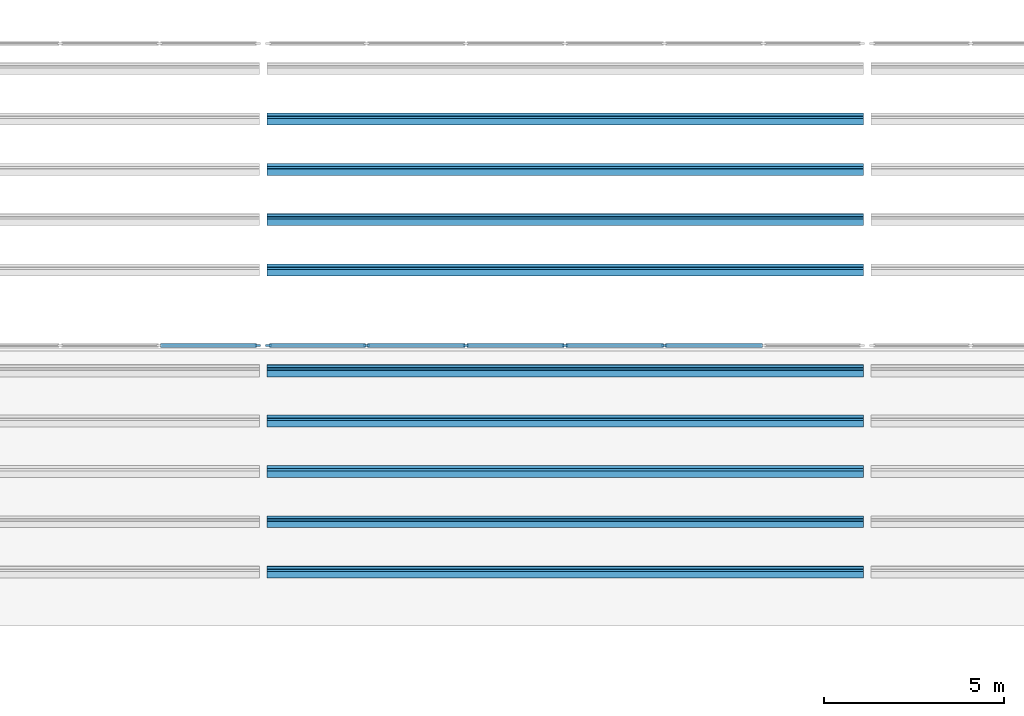
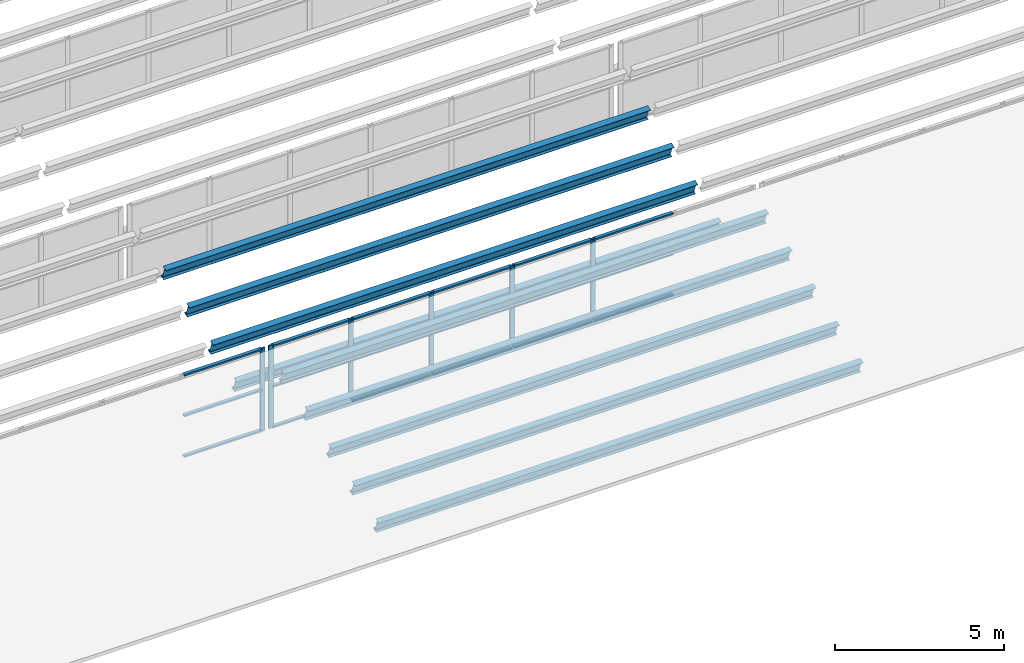
# One storey, part 9 of 116: 33 members, 2 elements without a shape of their own.
"""IFC4 building model written with IfcOpenShell, lengths in metres."""

from ifc_helpers import new_model, si_unit, direction, frame, origin, origin_2d, place, context, subcontext, project, spatial, rectangle, i_section, extrude, material, material_profile, profile_set, type_object, element, aggregate, save


model = new_model("IFC4")

# Units and contexts
model_context = context("Model", 3, precision=1e-05, world=origin(), true_north=direction((0.0, 1.0)))
body_context = subcontext(model_context, "Body", "Model", "MODEL_VIEW")
ifc_project = project(units=[si_unit("LENGTHUNIT", "METRE"), si_unit("AREAUNIT", "SQUARE_METRE"), si_unit("VOLUMEUNIT", "CUBIC_METRE"), si_unit("PLANEANGLEUNIT", "RADIAN"), si_unit("MASSUNIT", "GRAM", prefix="KILO")], contexts=[model_context])

# Site, building, storey
site_placement = place(None, origin())
site = spatial("IfcSite", under=ifc_project, at=site_placement, CompositionType="ELEMENT")
building_placement = place(site_placement, origin())
building = spatial("IfcBuilding", under=site, at=building_placement, Name="Fescue Hill Polytechnic", CompositionType="ELEMENT")
storey_placement = place(building_placement, frame((0.0, 0.0, 13.5)))
storey = spatial("IfcBuildingStorey", under=building, at=storey_placement, Name="L03", CompositionType="ELEMENT", Elevation=13.5)

# Curtain wall, member
ifc_material_1 = material(Name="Aluminium and glass", Category="aluminium")
curtain_wall_type = type_object("IfcCurtainWallType", Name="Sawtooth north glazing curtain wall", PredefinedType="NOTDEFINED", material=ifc_material_1)
curtain_wall_1_placement = place(storey_placement, origin())
curtain_wall_1 = element("IfcCurtainWall", 1, at=curtain_wall_1_placement, inside=storey, type_object=curtain_wall_type, Name="Sawtooth 1 north glazing bay 3", PredefinedType="NOTDEFINED")
ifc_material_2 = material(Name="Aluminium", Category="aluminium")
ifc_material_profile_1 = material_profile(ifc_material_2, rectangle(XDim=0.06005859375, YDim=0.159912109375, at=origin_2d()), Name="Curtain wall mullion 60x160")
ifc_profile_set_1 = profile_set([ifc_material_profile_1], Name="Aluminium")
member_type_1 = type_object("IfcMemberType", Name="Curtain wall mullion 60x160", PredefinedType="MULLION", material=ifc_profile_set_1)
member_1_placement = place(storey_placement, frame((50.25, 25.199951171875, 0.0), z_axis=(0.0, 0.0, 1.0), x_axis=(0.0, 1.0, 0.0)))
member_1 = element("IfcMember", 2, at=member_1_placement, type_object=member_type_1, Name="CW3 mullion 7", PredefinedType="MULLION", context=body_context, shape_type="SweptSolid", body=[
    extrude(rectangle(XDim=0.06005859375, YDim=0.159912109375, at=origin_2d()), origin(), (0.0, 0.0, 1.0), 3.0),
])

# Curtain wall, members
curtain_wall_2_placement = place(storey_placement, origin())
curtain_wall_2 = element("IfcCurtainWall", 3, at=curtain_wall_2_placement, inside=storey, type_object=curtain_wall_type, Name="Sawtooth 1 north glazing bay 4", PredefinedType="NOTDEFINED")
member_2_placement = place(storey_placement, frame((50.550048828125, 25.199951171875, 0.0), z_axis=(0.0, 0.0, 1.0), x_axis=(0.0, 1.0, 0.0)))
member_2 = element("IfcMember", 4, at=member_2_placement, type_object=member_type_1, Name="CW4 mullion 1", PredefinedType="MULLION", context=body_context, shape_type="SweptSolid", body=[
    extrude(rectangle(XDim=0.06005859375, YDim=0.159912109375, at=origin_2d()), origin(), (0.0, 0.0, 1.0), 3.0),
])
member_3_placement = place(storey_placement, frame((53.280029296875, 25.199951171875, 0.0), z_axis=(0.0, 0.0, 1.0), x_axis=(0.0, 1.0, 0.0)))
member_3 = element("IfcMember", 5, at=member_3_placement, type_object=member_type_1, Name="CW4 mullion 2", PredefinedType="MULLION", context=body_context, shape_type="SweptSolid", body=[
    extrude(rectangle(XDim=0.06005859375, YDim=0.159912109375, at=origin_2d()), origin(), (0.0, 0.0, 1.0), 3.0),
])
member_4_placement = place(storey_placement, frame((56.0400390625, 25.199951171875, 0.0), z_axis=(0.0, 0.0, 1.0), x_axis=(0.0, 1.0, 0.0)))
member_4 = element("IfcMember", 6, at=member_4_placement, type_object=member_type_1, Name="CW4 mullion 3", PredefinedType="MULLION", context=body_context, shape_type="SweptSolid", body=[
    extrude(rectangle(XDim=0.06005859375, YDim=0.159912109375, at=origin_2d()), origin(), (0.0, 0.0, 1.0), 3.0),
])
member_5_placement = place(storey_placement, frame((58.800048828125, 25.199951171875, 0.0), z_axis=(0.0, 0.0, 1.0), x_axis=(0.0, 1.0, 0.0)))
member_5 = element("IfcMember", 7, at=member_5_placement, type_object=member_type_1, Name="CW4 mullion 4", PredefinedType="MULLION", context=body_context, shape_type="SweptSolid", body=[
    extrude(rectangle(XDim=0.06005859375, YDim=0.159912109375, at=origin_2d()), origin(), (0.0, 0.0, 1.0), 3.0),
])
member_6_placement = place(storey_placement, frame((61.56005859375, 25.199951171875, 0.0), z_axis=(0.0, 0.0, 1.0), x_axis=(0.0, 1.0, 0.0)))
member_6 = element("IfcMember", 8, at=member_6_placement, type_object=member_type_1, Name="CW4 mullion 5", PredefinedType="MULLION", context=body_context, shape_type="SweptSolid", body=[
    extrude(rectangle(XDim=0.06005859375, YDim=0.159912109375, at=origin_2d()), origin(), (0.0, 0.0, 1.0), 3.0),
])

# Member
ifc_material_profile_2 = material_profile(ifc_material_2, rectangle(XDim=0.1201171875, YDim=0.06005859375, at=origin_2d()), Name="Curtain wall transom 60x120")
ifc_profile_set_2 = profile_set([ifc_material_profile_2], Name="Aluminium")
member_type_2 = type_object("IfcMemberType", Name="Curtain wall transom 60x120", PredefinedType="USERDEFINED", material=ifc_profile_set_2)
member_7_placement = place(storey_placement, frame((47.550048828125, 25.199951171875, 0.030029296875), z_axis=(1.0, 0.0, 0.0), x_axis=(0.0, 1.0, 0.0)))
member_7 = element("IfcMember", 9, at=member_7_placement, type_object=member_type_2, Name="CW3 transom 6.1", ObjectType="TRANSOM", PredefinedType="USERDEFINED", context=body_context, shape_type="SweptSolid", body=[
    extrude(rectangle(XDim=0.1201171875, YDim=0.06005859375, at=origin_2d()), origin(), (0.0, 0.0, 1.0), 2.669921875),
])

member_8_placement = place(storey_placement, frame((47.550048828125, 25.199951171875, 1.5), z_axis=(1.0, 0.0, 0.0), x_axis=(0.0, 1.0, 0.0)))
member_8 = element("IfcMember", 10, at=member_8_placement, type_object=member_type_2, Name="CW3 transom 6.2", ObjectType="TRANSOM", PredefinedType="USERDEFINED", context=body_context, shape_type="SweptSolid", body=[
    extrude(rectangle(XDim=0.1201171875, YDim=0.06005859375, at=origin_2d()), origin(), (0.0, 0.0, 1.0), 2.669921875),
])

member_9_placement = place(storey_placement, frame((47.550048828125, 25.199951171875, 2.969970703125), z_axis=(1.0, 0.0, 0.0), x_axis=(0.0, 1.0, 0.0)))
member_9 = element("IfcMember", 11, at=member_9_placement, type_object=member_type_2, Name="CW3 transom 6.3", ObjectType="TRANSOM", PredefinedType="USERDEFINED", context=body_context, shape_type="SweptSolid", body=[
    extrude(rectangle(XDim=0.1201171875, YDim=0.06005859375, at=origin_2d()), origin(), (0.0, 0.0, 1.0), 2.669921875),
])

aggregate(curtain_wall_1, [member_1, member_7, member_8, member_9])

member_10_placement = place(storey_placement, frame((50.580078125, 25.199951171875, 0.030029296875), z_axis=(1.0, 0.0, 0.0), x_axis=(0.0, 1.0, 0.0)))
member_10 = element("IfcMember", 12, at=member_10_placement, type_object=member_type_2, Name="CW4 transom 1.1", ObjectType="TRANSOM", PredefinedType="USERDEFINED", context=body_context, shape_type="SweptSolid", body=[
    extrude(rectangle(XDim=0.1201171875, YDim=0.06005859375, at=origin_2d()), origin(), (0.0, 0.0, 1.0), 2.669921875),
])

member_11_placement = place(storey_placement, frame((50.580078125, 25.199951171875, 1.5), z_axis=(1.0, 0.0, 0.0), x_axis=(0.0, 1.0, 0.0)))
member_11 = element("IfcMember", 13, at=member_11_placement, type_object=member_type_2, Name="CW4 transom 1.2", ObjectType="TRANSOM", PredefinedType="USERDEFINED", context=body_context, shape_type="SweptSolid", body=[
    extrude(rectangle(XDim=0.1201171875, YDim=0.06005859375, at=origin_2d()), origin(), (0.0, 0.0, 1.0), 2.669921875),
])

member_12_placement = place(storey_placement, frame((50.580078125, 25.199951171875, 2.969970703125), z_axis=(1.0, 0.0, 0.0), x_axis=(0.0, 1.0, 0.0)))
member_12 = element("IfcMember", 14, at=member_12_placement, type_object=member_type_2, Name="CW4 transom 1.3", ObjectType="TRANSOM", PredefinedType="USERDEFINED", context=body_context, shape_type="SweptSolid", body=[
    extrude(rectangle(XDim=0.1201171875, YDim=0.06005859375, at=origin_2d()), origin(), (0.0, 0.0, 1.0), 2.669921875),
])

member_13_placement = place(storey_placement, frame((53.31005859375, 25.199951171875, 0.030029296875), z_axis=(1.0, 0.0, 0.0), x_axis=(0.0, 1.0, 0.0)))
member_13 = element("IfcMember", 15, at=member_13_placement, type_object=member_type_2, Name="CW4 transom 2.1", ObjectType="TRANSOM", PredefinedType="USERDEFINED", context=body_context, shape_type="SweptSolid", body=[
    extrude(rectangle(XDim=0.1201171875, YDim=0.06005859375, at=origin_2d()), origin(), (0.0, 0.0, 1.0), 2.699951171875),
])

member_14_placement = place(storey_placement, frame((53.31005859375, 25.199951171875, 1.5), z_axis=(1.0, 0.0, 0.0), x_axis=(0.0, 1.0, 0.0)))
member_14 = element("IfcMember", 16, at=member_14_placement, type_object=member_type_2, Name="CW4 transom 2.2", ObjectType="TRANSOM", PredefinedType="USERDEFINED", context=body_context, shape_type="SweptSolid", body=[
    extrude(rectangle(XDim=0.1201171875, YDim=0.06005859375, at=origin_2d()), origin(), (0.0, 0.0, 1.0), 2.699951171875),
])

member_15_placement = place(storey_placement, frame((53.31005859375, 25.199951171875, 2.969970703125), z_axis=(1.0, 0.0, 0.0), x_axis=(0.0, 1.0, 0.0)))
member_15 = element("IfcMember", 17, at=member_15_placement, type_object=member_type_2, Name="CW4 transom 2.3", ObjectType="TRANSOM", PredefinedType="USERDEFINED", context=body_context, shape_type="SweptSolid", body=[
    extrude(rectangle(XDim=0.1201171875, YDim=0.06005859375, at=origin_2d()), origin(), (0.0, 0.0, 1.0), 2.699951171875),
])

member_16_placement = place(storey_placement, frame((56.070068359375, 25.199951171875, 0.030029296875), z_axis=(1.0, 0.0, 0.0), x_axis=(0.0, 1.0, 0.0)))
member_16 = element("IfcMember", 18, at=member_16_placement, type_object=member_type_2, Name="CW4 transom 3.1", ObjectType="TRANSOM", PredefinedType="USERDEFINED", context=body_context, shape_type="SweptSolid", body=[
    extrude(rectangle(XDim=0.1201171875, YDim=0.06005859375, at=origin_2d()), origin(), (0.0, 0.0, 1.0), 2.699951171875),
])

member_17_placement = place(storey_placement, frame((56.070068359375, 25.199951171875, 1.5), z_axis=(1.0, 0.0, 0.0), x_axis=(0.0, 1.0, 0.0)))
member_17 = element("IfcMember", 19, at=member_17_placement, type_object=member_type_2, Name="CW4 transom 3.2", ObjectType="TRANSOM", PredefinedType="USERDEFINED", context=body_context, shape_type="SweptSolid", body=[
    extrude(rectangle(XDim=0.1201171875, YDim=0.06005859375, at=origin_2d()), origin(), (0.0, 0.0, 1.0), 2.699951171875),
])

member_18_placement = place(storey_placement, frame((56.070068359375, 25.199951171875, 2.969970703125), z_axis=(1.0, 0.0, 0.0), x_axis=(0.0, 1.0, 0.0)))
member_18 = element("IfcMember", 20, at=member_18_placement, type_object=member_type_2, Name="CW4 transom 3.3", ObjectType="TRANSOM", PredefinedType="USERDEFINED", context=body_context, shape_type="SweptSolid", body=[
    extrude(rectangle(XDim=0.1201171875, YDim=0.06005859375, at=origin_2d()), origin(), (0.0, 0.0, 1.0), 2.699951171875),
])

member_19_placement = place(storey_placement, frame((58.830078125, 25.199951171875, 0.030029296875), z_axis=(1.0, 0.0, 0.0), x_axis=(0.0, 1.0, 0.0)))
member_19 = element("IfcMember", 21, at=member_19_placement, type_object=member_type_2, Name="CW4 transom 4.1", ObjectType="TRANSOM", PredefinedType="USERDEFINED", context=body_context, shape_type="SweptSolid", body=[
    extrude(rectangle(XDim=0.1201171875, YDim=0.06005859375, at=origin_2d()), origin(), (0.0, 0.0, 1.0), 2.699951171875),
])

member_20_placement = place(storey_placement, frame((58.830078125, 25.199951171875, 1.5), z_axis=(1.0, 0.0, 0.0), x_axis=(0.0, 1.0, 0.0)))
member_20 = element("IfcMember", 22, at=member_20_placement, type_object=member_type_2, Name="CW4 transom 4.2", ObjectType="TRANSOM", PredefinedType="USERDEFINED", context=body_context, shape_type="SweptSolid", body=[
    extrude(rectangle(XDim=0.1201171875, YDim=0.06005859375, at=origin_2d()), origin(), (0.0, 0.0, 1.0), 2.699951171875),
])

member_21_placement = place(storey_placement, frame((58.830078125, 25.199951171875, 2.969970703125), z_axis=(1.0, 0.0, 0.0), x_axis=(0.0, 1.0, 0.0)))
member_21 = element("IfcMember", 23, at=member_21_placement, type_object=member_type_2, Name="CW4 transom 4.3", ObjectType="TRANSOM", PredefinedType="USERDEFINED", context=body_context, shape_type="SweptSolid", body=[
    extrude(rectangle(XDim=0.1201171875, YDim=0.06005859375, at=origin_2d()), origin(), (0.0, 0.0, 1.0), 2.699951171875),
])

member_22_placement = place(storey_placement, frame((61.590087890625, 25.199951171875, 0.030029296875), z_axis=(1.0, 0.0, 0.0), x_axis=(0.0, 1.0, 0.0)))
member_22 = element("IfcMember", 24, at=member_22_placement, type_object=member_type_2, Name="CW4 transom 5.1", ObjectType="TRANSOM", PredefinedType="USERDEFINED", context=body_context, shape_type="SweptSolid", body=[
    extrude(rectangle(XDim=0.1201171875, YDim=0.06005859375, at=origin_2d()), origin(), (0.0, 0.0, 1.0), 2.699951171875),
])

member_23_placement = place(storey_placement, frame((61.590087890625, 25.199951171875, 1.5), z_axis=(1.0, 0.0, 0.0), x_axis=(0.0, 1.0, 0.0)))
member_23 = element("IfcMember", 25, at=member_23_placement, type_object=member_type_2, Name="CW4 transom 5.2", ObjectType="TRANSOM", PredefinedType="USERDEFINED", context=body_context, shape_type="SweptSolid", body=[
    extrude(rectangle(XDim=0.1201171875, YDim=0.06005859375, at=origin_2d()), origin(), (0.0, 0.0, 1.0), 2.699951171875),
])

member_24_placement = place(storey_placement, frame((61.590087890625, 25.199951171875, 2.969970703125), z_axis=(1.0, 0.0, 0.0), x_axis=(0.0, 1.0, 0.0)))
member_24 = element("IfcMember", 26, at=member_24_placement, type_object=member_type_2, Name="CW4 transom 5.3", ObjectType="TRANSOM", PredefinedType="USERDEFINED", context=body_context, shape_type="SweptSolid", body=[
    extrude(rectangle(XDim=0.1201171875, YDim=0.06005859375, at=origin_2d()), origin(), (0.0, 0.0, 1.0), 2.699951171875),
])

aggregate(curtain_wall_2, [member_2, member_3, member_4, member_5, member_6, member_10, member_11, member_12, member_13, member_14, member_15, member_16, member_17, member_18, member_19, member_20, member_21, member_22, member_23, member_24])

# Members
ifc_material_3 = material(Name="Steel 350W (350 MPa)", Category="steel")
ifc_material_profile_3 = material_profile(ifc_material_3, i_section(OverallWidth=0.18994140625, OverallDepth=0.45703125, WebThickness=0.009033203125, FlangeThickness=0.014404296875, FilletRadius=0.0166015625, at=origin_2d()), Name="W460x74")
ifc_profile_set_3 = profile_set([ifc_material_profile_3], Name="Steel 350W (350 MPa)")
member_type_3 = type_object("IfcMemberType", Name="Tooth purlin W460x74", PredefinedType="PURLIN", material=ifc_profile_set_3)
for number, where, z_axis, x_axis, name in (
    (27, (50.50439453125, 18.89990234375, 0.294921875), (1.0, 0.0, 0.0), (0.0, 0.941741911595, 0.336336396997), "Tooth 1 purlin 2 bay 4"),
    (28, (50.50439453125, 20.300048828125, 0.794921875), (1.0, 0.0, 0.0), (0.0, 0.941741911595, 0.336336396997), "Tooth 1 purlin 3 bay 4"),
    (29, (50.50439453125, 21.699951171875, 1.294921875), (1.0, 0.0, 0.0), (0.0, 0.941741911595, 0.336336396997), "Tooth 1 purlin 4 bay 4"),
    (30, (50.50439453125, 23.10009765625, 1.794921875), (1.0, 0.0, 0.0), (0.0, 0.941741911595, 0.336336396997), "Tooth 1 purlin 5 bay 4"),
    (31, (50.50439453125, 27.300048828125, 0.294921875), (1.0, 0.0, 0.0), (0.0, 0.941741911595, 0.336336396997), "Tooth 2 purlin 2 bay 4"),
    (32, (50.50439453125, 28.699951171875, 0.794921875), (1.0, 0.0, 0.0), (0.0, 0.941741911595, 0.336336396997), "Tooth 2 purlin 3 bay 4"),
    (33, (50.50439453125, 30.10009765625, 1.294921875), (1.0, 0.0, 0.0), (0.0, 0.941741911595, 0.336336396997), "Tooth 2 purlin 4 bay 4"),
    (34, (50.50439453125, 31.5, 1.794921875), (1.0, 0.0, 0.0), (0.0, 0.941741911595, 0.336336396997), "Tooth 2 purlin 5 bay 4"),
):
    element("IfcMember", number, at=place(storey_placement, frame(where, z_axis=z_axis, x_axis=x_axis)), inside=storey, type_object=member_type_3, Name=name, PredefinedType="PURLIN", context=body_context, shape_type="SweptSolid", body=[
        extrude(i_section(OverallWidth=0.18994140625, OverallDepth=0.45703125, WebThickness=0.009033203125, FlangeThickness=0.014404296875, FilletRadius=0.0166015625, at=origin_2d()), origin(), (0.0, 0.0, 1.0), 16.591064453125),
    ])
ifc_material_profile_4 = material_profile(ifc_material_3, i_section(OverallWidth=0.193115234375, OverallDepth=0.466064453125, WebThickness=0.011474609375, FlangeThickness=0.01904296875, FilletRadius=0.01708984375, at=origin_2d()), Name="W460x97")
ifc_profile_set_4 = profile_set([ifc_material_profile_4], Name="Steel 350W (350 MPa)")
member_type_4 = type_object("IfcMemberType", Name="Tooth ridge purlin W460x97", PredefinedType="PURLIN", material=ifc_profile_set_4)
member_25_placement = place(storey_placement, frame((50.50439453125, 24.5, 2.290283203125), z_axis=(1.0, 0.0, 0.0), x_axis=(0.0, 0.941741911595, 0.336336396997)))
element("IfcMember", 35, at=member_25_placement, inside=storey, type_object=member_type_4, Name="Tooth 1 ridge purlin bay 4", PredefinedType="PURLIN", context=body_context, shape_type="SweptSolid", body=[
    extrude(i_section(OverallWidth=0.193115234375, OverallDepth=0.466064453125, WebThickness=0.011474609375, FlangeThickness=0.01904296875, FilletRadius=0.01708984375, at=origin_2d()), origin(), (0.0, 0.0, 1.0), 16.591064453125),
])

save(model, "model.ifc")
